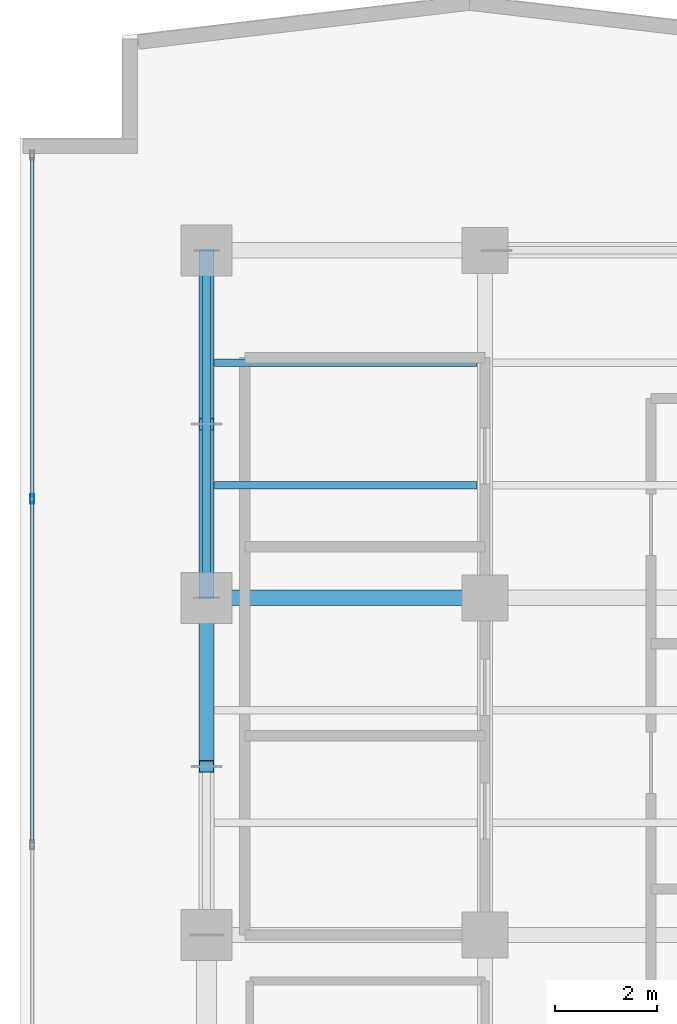
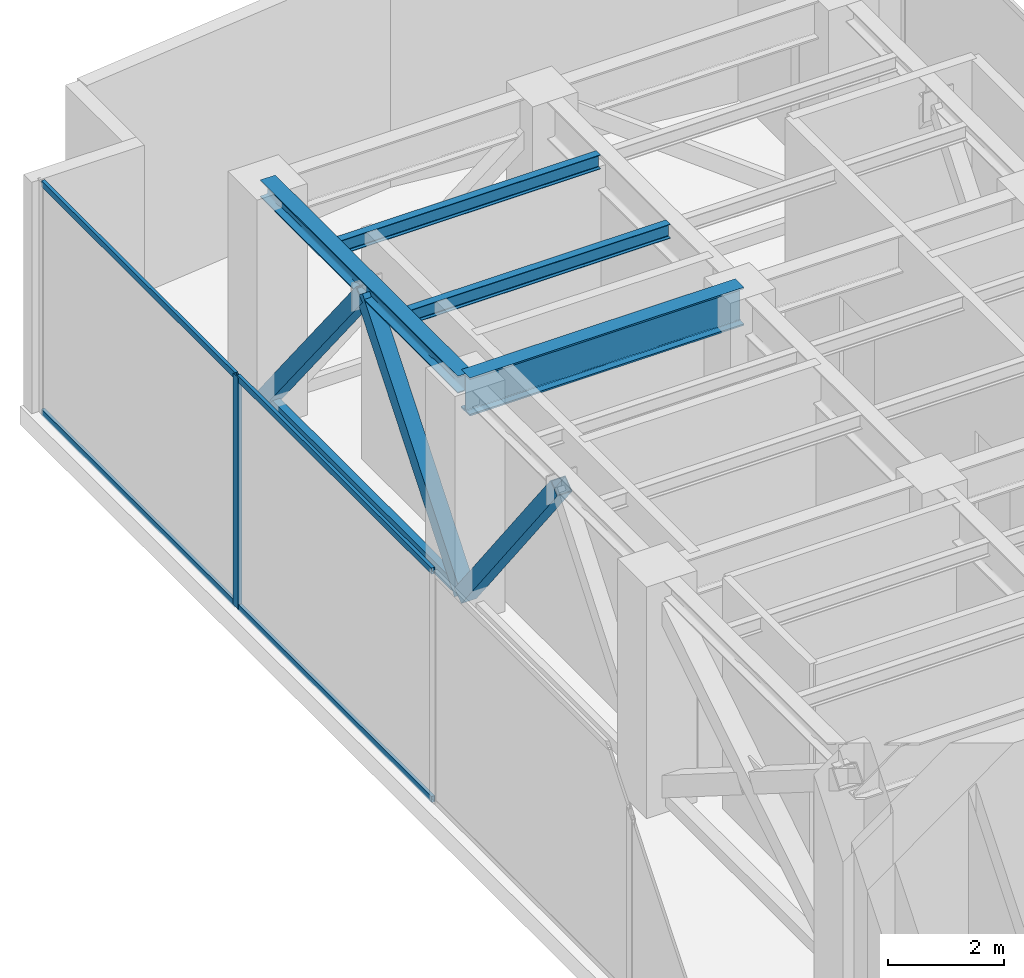
# One storey, part 19 of 31: 9 members, 4 beams, 1 element without a shape of its own.
"""IFC4 building model written with IfcOpenShell, lengths in metres."""

from ifc_helpers import new_model, si_unit, direction, frame, origin, origin_with_axes, origin_2d, place, context, subcontext, project, spatial, hollow_rectangle, i_section, extrude, source, transform, mapped, material, layer, layer_set, material_profile, profile_set, type_object, element, aggregate, save


model = new_model("IFC4")

# Units and contexts
model_context = context("Model", 3, precision=1e-05, world=origin(), true_north=direction((0.0, 1.0)))
body_context = subcontext(model_context, "Body", "Model", "MODEL_VIEW")
ifc_project = project(units=[si_unit("LENGTHUNIT", "METRE"), si_unit("AREAUNIT", "SQUARE_METRE"), si_unit("VOLUMEUNIT", "CUBIC_METRE"), si_unit("PLANEANGLEUNIT", "RADIAN"), si_unit("MASSUNIT", "GRAM", prefix="KILO")], contexts=[model_context])

# Site, building, storey
site_placement = place(None, origin())
site = spatial("IfcSite", under=ifc_project, at=site_placement, CompositionType="ELEMENT")
building_placement = place(site_placement, origin())
building = spatial("IfcBuilding", under=site, at=building_placement, Name="Kolvaren Waterfront Exchange", CompositionType="ELEMENT")
storey_placement = place(building_placement, frame((0.0, 0.0, 257.699951171875)))
storey = spatial("IfcBuildingStorey", under=building, at=storey_placement, Name="L66", CompositionType="ELEMENT", Elevation=257.699951171875)

# Beams
ifc_material_1 = material(Name="Steel S355", Category="steel")
ifc_material_profile_1 = material_profile(ifc_material_1, i_section(OverallWidth=0.300048828125, OverallDepth=0.360107421875, WebThickness=0.012451171875, FlangeThickness=0.0224609375, FilletRadius=0.027099609375, at=origin_2d()), Name="HEB360")
ifc_profile_set_1 = profile_set([ifc_material_profile_1], Name="Steel S355")
beam_type_1 = type_object("IfcBeamType", Name="STR-BM-HEB360", PredefinedType="SPANDREL", material=ifc_profile_set_1)
beam_1_placement = place(storey_placement, frame((7.449951171875, 37.800048828125, 4.679931640625), z_axis=(0.0, 1.0, 0.0), x_axis=(-1.0, 0.0, 0.0)))
element("IfcBeam", 1, at=beam_1_placement, inside=storey, type_object=beam_type_1, Name="L66 north-arm edge beam 3", PredefinedType="SPANDREL", context=body_context, shape_type="SweptSolid", body=[
    extrude(i_section(OverallWidth=0.300048828125, OverallDepth=0.360107421875, WebThickness=0.012451171875, FlangeThickness=0.0224609375, FilletRadius=0.027099609375, at=origin_2d()), origin(), (0.0, 0.0, 1.0), 6.800048828125),
])
ifc_material_profile_2 = material_profile(ifc_material_1, i_section(OverallWidth=0.300048828125, OverallDepth=0.800048828125, WebThickness=0.017578125, FlangeThickness=0.032958984375, FilletRadius=0.030029296875, at=origin_2d()), Name="HEB800")
ifc_profile_set_2 = profile_set([ifc_material_profile_2], Name="Steel S355")
beam_type_2 = type_object("IfcBeamType", Name="STR-BM-HEB800", PredefinedType="BEAM", material=ifc_profile_set_2)
beam_2_placement = place(storey_placement, frame((7.449951171875, 37.800048828125, 4.4599609375), z_axis=(1.0, 0.0, 0.0), x_axis=(0.0, 1.0, 0.0)))
element("IfcBeam", 2, at=beam_2_placement, inside=storey, type_object=beam_type_2, Name="L66 north-arm girder 3A", PredefinedType="BEAM", context=body_context, shape_type="SweptSolid", body=[
    extrude(i_section(OverallWidth=0.300048828125, OverallDepth=0.800048828125, WebThickness=0.017578125, FlangeThickness=0.032958984375, FilletRadius=0.030029296875, at=origin_2d()), origin(), (0.0, 0.0, 1.0), 5.449951171875),
])
ifc_material_profile_3 = material_profile(ifc_material_1, i_section(OverallWidth=0.14990234375, OverallDepth=0.300048828125, WebThickness=0.007080078125, FlangeThickness=0.0107421875, FilletRadius=0.014892578125, at=origin_2d()), Name="IPE300")
ifc_profile_set_3 = profile_set([ifc_material_profile_3], Name="Steel S355")
beam_type_3 = type_object("IfcBeamType", Name="STR-BM-IPE300", PredefinedType="JOIST", material=ifc_profile_set_3)
for number, where, z_axis, x_axis, name in (
    (3, (7.60205078125, 40.0, 4.7099609375), (1.0, 0.0, 0.0), (0.0, 1.0, 0.0), "L66 north-arm composite joist 5A"),
    (4, (7.60205078125, 42.39990234375, 4.7099609375), (1.0, 0.0, 0.0), (0.0, 1.0, 0.0), "L66 north-arm composite joist 6A"),
):
    element("IfcBeam", number, at=place(storey_placement, frame(where, z_axis=z_axis, x_axis=x_axis)), inside=storey, type_object=beam_type_3, Name=name, PredefinedType="JOIST", context=body_context, shape_type="SweptSolid", body=[
        extrude(i_section(OverallWidth=0.14990234375, OverallDepth=0.300048828125, WebThickness=0.007080078125, FlangeThickness=0.0107421875, FilletRadius=0.014892578125, at=origin_2d()), origin(), (0.0, 0.0, 1.0), 5.14599609375),
    ])

# Members
ifc_material_2 = material(Name="Steel S460", Category="steel")
ifc_material_profile_4 = material_profile(ifc_material_2, hollow_rectangle(XDim=0.14990234375, YDim=0.25, WallThickness=0.010009765625, at=origin_2d()), Name="RHS250x150x10")
ifc_profile_set_4 = profile_set([ifc_material_profile_4], Name="Steel S460")
member_type_1 = type_object("IfcMemberType", Name="STR-BR-RHS250", PredefinedType="CHORD", material=ifc_profile_set_4)
member_1_placement = place(storey_placement, frame((7.449951171875, 37.800048828125, 0.25), z_axis=(0.0, 1.0, 0.0), x_axis=(-1.0, 0.0, 0.0)))
element("IfcMember", 5, at=member_1_placement, inside=storey, type_object=member_type_1, Name="L66 belt-truss bottom chord BT5", PredefinedType="CHORD", context=body_context, shape_type="SweptSolid", body=[
    extrude(hollow_rectangle(XDim=0.14990234375, YDim=0.25, WallThickness=0.010009765625, at=origin_2d()), origin(), (0.0, 0.0, 1.0), 6.800048828125),
])
ifc_material_profile_5 = material_profile(ifc_material_1, hollow_rectangle(XDim=0.300048828125, YDim=0.300048828125, WallThickness=0.01611328125, at=origin_2d()), Name="SHS300x300x16")
ifc_profile_set_5 = profile_set([ifc_material_profile_5], Name="Steel S355")
member_type_2 = type_object("IfcMemberType", Name="STR-BR-SHS300", PredefinedType="BRACE", material=ifc_profile_set_5)
member_2_placement = place(storey_placement, frame((7.449951171875, 37.800048828125, 0.25), z_axis=(0.0, -0.612402527517, 0.790546105101), x_axis=(1.0, 0.0, 0.0)))
element("IfcMember", 6, at=member_2_placement, inside=storey, type_object=member_type_2, Name="L66 belt-truss chevron brace BT4R", PredefinedType="BRACE", context=body_context, shape_type="SweptSolid", body=[
    extrude(hollow_rectangle(XDim=0.300048828125, YDim=0.300048828125, WallThickness=0.01611328125, at=origin_2d()), origin(), (0.0, 0.0, 1.0), 5.388671875),
])
member_3_placement = place(storey_placement, frame((7.449951171875, 37.800048828125, 0.25), z_axis=(0.0, 0.62378784047, 0.781593711644), x_axis=(-1.0, 0.0, 0.0)))
element("IfcMember", 7, at=member_3_placement, inside=storey, type_object=member_type_2, Name="L66 belt-truss chevron brace BT5L", PredefinedType="BRACE", context=body_context, shape_type="SweptSolid", body=[
    extrude(hollow_rectangle(XDim=0.300048828125, YDim=0.300048828125, WallThickness=0.01611328125, at=origin_2d()), origin(), (0.0, 0.0, 1.0), 5.450439453125),
])
member_4_placement = place(storey_placement, frame((7.449951171875, 44.60009765625, 0.25), z_axis=(0.0, -0.623815202885, 0.78157187299), x_axis=(1.0, 0.0, 0.0)))
element("IfcMember", 8, at=member_4_placement, inside=storey, type_object=member_type_2, Name="L66 belt-truss chevron brace BT5R", PredefinedType="BRACE", context=body_context, shape_type="SweptSolid", body=[
    extrude(hollow_rectangle(XDim=0.300048828125, YDim=0.300048828125, WallThickness=0.01611328125, at=origin_2d()), origin(), (0.0, 0.0, 1.0), 5.45068359375),
])

# Curtain wall, members
ifc_material_3 = material(Name="Anodised dark bronze spandrel aluminium", Category="aluminium")
ifc_layer = layer(ifc_material_3, 0.219970703125, Name="Anodised dark bronze spandrel aluminium")
ifc_layer_set = layer_set([ifc_layer], Name="Anodised dark bronze spandrel aluminium")
curtain_wall_type = type_object("IfcCurtainWallType", Name="ARC-CW-SYS6", PredefinedType="USERDEFINED", material=ifc_layer_set)
curtain_wall_placement = place(storey_placement, origin())
curtain_wall = element("IfcCurtainWall", 9, at=curtain_wall_placement, inside=storey, type_object=curtain_wall_type, Name="L66 stick curtain wall CW6 (CW-L66-W)", ObjectType="STICK CURTAIN WALL", PredefinedType="USERDEFINED")
ifc_material_4 = material(Name="Anodised bronze aluminium 6063-T6", Category="aluminium")
ifc_material_profile_6 = material_profile(ifc_material_4, hollow_rectangle(XDim=0.074951171875, YDim=0.179931640625, WallThickness=0.00439453125, at=origin_2d()), Name="ALU-MUL-180x75x4.5")
ifc_profile_set_6 = profile_set([ifc_material_profile_6], Name="Anodised bronze aluminium 6063-T6")
member_type_3 = type_object("IfcMemberType", Name="ARC-CWM-180", PredefinedType="MULLION", material=ifc_profile_set_6)
shared_shape_1 = source(origin_with_axes(), body_context, "Body", "SweptSolid", [
    extrude(hollow_rectangle(XDim=0.074951171875, YDim=0.179931640625, WallThickness=0.00439453125, at=origin_2d()), origin(), (0.0, 0.0, 1.0), 4.860107421875),
])
member_5_placement = place(storey_placement, frame((4.0400390625, 39.7333984375, 0.0), z_axis=(0.0, 0.0, 1.0), x_axis=(-1.0, 0.0, 0.0)))
member_5 = element("IfcMember", 10, at=member_5_placement, type_object=member_type_3, Name="CW6 mullion 6", PredefinedType="MULLION", context=body_context, shape_type="MappedRepresentation", body=[
    mapped(shared_shape_1, transform((0.0, 0.0, 0.0), x_axis=(1.0, 0.0, 0.0), y_axis=(0.0, 1.0, 0.0), z_axis=(0.0, 0.0, 1.0), scale=1.0)),
])
ifc_material_profile_7 = material_profile(ifc_material_4, hollow_rectangle(XDim=0.06494140625, YDim=0.1298828125, WallThickness=0.00390625, at=origin_2d()), Name="ALU-TRN-130x65x4")
ifc_profile_set_7 = profile_set([ifc_material_profile_7], Name="Anodised bronze aluminium 6063-T6")
member_type_4 = type_object("IfcMemberType", Name="ARC-CWT-130", PredefinedType="USERDEFINED", material=ifc_profile_set_7)
shared_shape_2 = source(origin_with_axes(), body_context, "Body", "SweptSolid", [
    extrude(hollow_rectangle(XDim=0.06494140625, YDim=0.1298828125, WallThickness=0.00390625, at=origin_2d()), origin(), (0.0, 0.0, 1.0), 6.691650390625),
])
member_6_placement = place(storey_placement, frame((4.0400390625, 33.004150390625, 0.032470703125), z_axis=(0.0, 1.0, 0.0), x_axis=(-1.0, 0.0, 0.0)))
member_6 = element("IfcMember", 11, at=member_6_placement, type_object=member_type_4, Name="CW6 transom 5.1", ObjectType="TRANSOM", PredefinedType="USERDEFINED", context=body_context, shape_type="MappedRepresentation", body=[
    mapped(shared_shape_2, transform((0.0, 0.0, 0.0), x_axis=(1.0, 0.0, 0.0), y_axis=(0.0, 1.0, 0.0), z_axis=(0.0, 0.0, 1.0), scale=1.0)),
])
member_7_placement = place(storey_placement, frame((4.0400390625, 33.004150390625, 4.82763671875), z_axis=(0.0, 1.0, 0.0), x_axis=(-1.0, 0.0, 0.0)))
member_7 = element("IfcMember", 12, at=member_7_placement, type_object=member_type_4, Name="CW6 transom 5.2", ObjectType="TRANSOM", PredefinedType="USERDEFINED", context=body_context, shape_type="MappedRepresentation", body=[
    mapped(shared_shape_2, transform((0.0, 0.0, 0.0), x_axis=(1.0, 0.0, 0.0), y_axis=(0.0, 1.0, 0.0), z_axis=(0.0, 0.0, 1.0), scale=1.0)),
])
shared_shape_3 = source(origin_with_axes(), body_context, "Body", "SweptSolid", [
    extrude(hollow_rectangle(XDim=0.06494140625, YDim=0.1298828125, WallThickness=0.00390625, at=origin_2d()), origin(), (0.0, 0.0, 1.0), 6.654296875),
])
member_8_placement = place(storey_placement, frame((4.0400390625, 39.770751953125, 0.032470703125), z_axis=(0.0, 1.0, 0.0), x_axis=(-1.0, 0.0, 0.0)))
member_8 = element("IfcMember", 13, at=member_8_placement, type_object=member_type_4, Name="CW6 transom 6.1", ObjectType="TRANSOM", PredefinedType="USERDEFINED", context=body_context, shape_type="MappedRepresentation", body=[
    mapped(shared_shape_3, transform((0.0, 0.0, 0.0), x_axis=(1.0, 0.0, 0.0), y_axis=(0.0, 1.0, 0.0), z_axis=(0.0, 0.0, 1.0), scale=1.0)),
])
member_9_placement = place(storey_placement, frame((4.0400390625, 39.770751953125, 4.82763671875), z_axis=(0.0, 1.0, 0.0), x_axis=(-1.0, 0.0, 0.0)))
member_9 = element("IfcMember", 14, at=member_9_placement, type_object=member_type_4, Name="CW6 transom 6.2", ObjectType="TRANSOM", PredefinedType="USERDEFINED", context=body_context, shape_type="MappedRepresentation", body=[
    mapped(shared_shape_3, transform((0.0, 0.0, 0.0), x_axis=(1.0, 0.0, 0.0), y_axis=(0.0, 1.0, 0.0), z_axis=(0.0, 0.0, 1.0), scale=1.0)),
])
aggregate(curtain_wall, [member_5, member_6, member_7, member_8, member_9])

save(model, "model.ifc")
